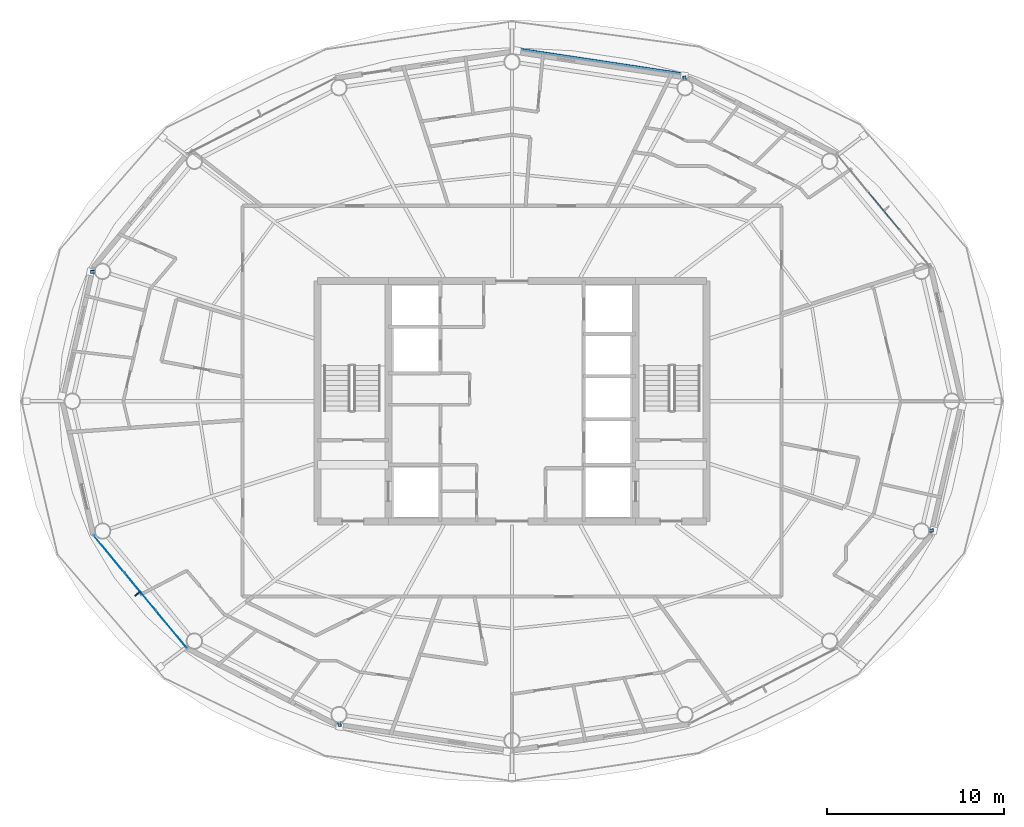
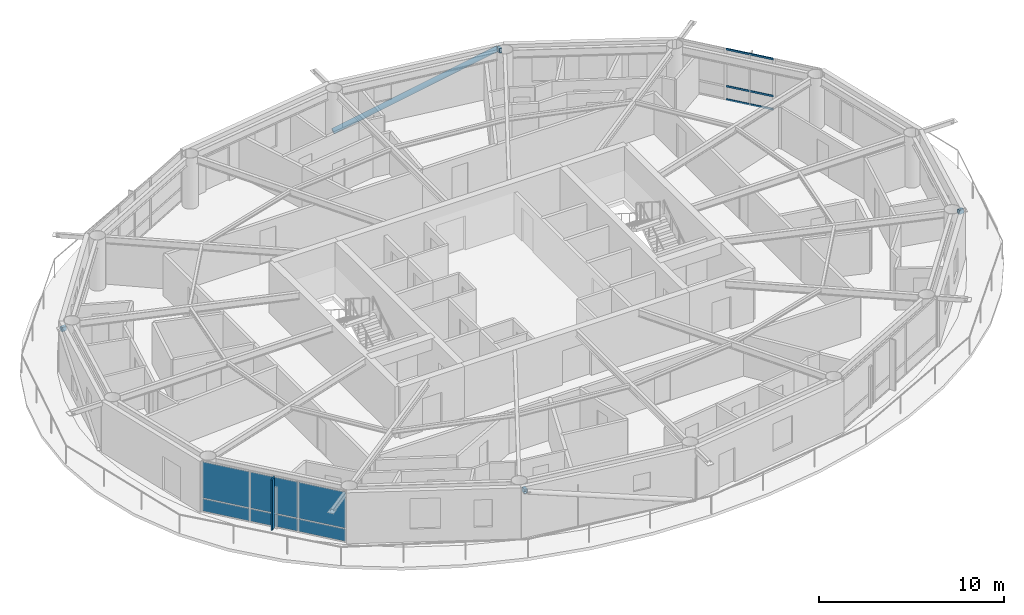
# One storey, part 12 of 23: 8 members, 7 plates, 2 elements without a shape of their own.
"""IFC4 building model written with IfcOpenShell, lengths in metres."""

from ifc_helpers import new_model, si_unit, direction, frame, origin, origin_2d, place, context, subcontext, project, spatial, rectangle, hollow_rectangle, hollow_circle, extrude, material, layer, layer_set, material_profile, profile_set, type_object, element, aggregate, save


model = new_model("IFC4")

# Units and contexts
model_context = context("Model", 3, precision=1e-05, world=origin(), true_north=direction((0.0, 1.0)))
body_context = subcontext(model_context, "Body", "Model", "MODEL_VIEW")
ifc_project = project(units=[si_unit("LENGTHUNIT", "METRE"), si_unit("AREAUNIT", "SQUARE_METRE"), si_unit("VOLUMEUNIT", "CUBIC_METRE"), si_unit("PLANEANGLEUNIT", "RADIAN"), si_unit("MASSUNIT", "GRAM", prefix="KILO")], contexts=[model_context])

# Site, building, storey
site_placement = place(None, origin())
site = spatial("IfcSite", under=ifc_project, at=site_placement, CompositionType="ELEMENT")
building_placement = place(site_placement, origin())
building = spatial("IfcBuilding", under=site, at=building_placement, Name="Sarneth Arch Tower", CompositionType="ELEMENT")
storey_placement = place(building_placement, frame((0.0, 0.0, 217.199951171875)))
storey = spatial("IfcBuildingStorey", under=building, at=storey_placement, Name="L55", CompositionType="ELEMENT", Elevation=217.199951171875)

# Curtain wall, members
ifc_material_1 = material(Name="Anodised aluminium Type AA25 and solar-control low-e laminated IGU", Category="aluminium")
ifc_layer_1 = layer(ifc_material_1, 0.179931640625)
ifc_layer_set_1 = layer_set([ifc_layer_1], Name="Anodised aluminium Type AA25 and solar-control low-e laminated IGU")
curtain_wall_type = type_object("IfcCurtainWallType", Name="CW-RES-HIGH", PredefinedType="NOTDEFINED", material=ifc_layer_set_1)
curtain_wall_1_placement = place(storey_placement, origin())
curtain_wall_1 = element("IfcCurtainWall", 1, at=curtain_wall_1_placement, inside=storey, type_object=curtain_wall_type, Name="L55 Unitised curtain wall facet 02", PredefinedType="NOTDEFINED")
ifc_material_2 = material(Name="Anodised Aluminium 6063-T6", Category="aluminium")
ifc_material_profile_1 = material_profile(ifc_material_2, hollow_rectangle(XDim=0.06005859375, YDim=0.1201171875, WallThickness=0.00390625, at=origin_2d()), Name="AL-TRAN-120x60x4")
ifc_profile_set_1 = profile_set([ifc_material_profile_1], Name="Anodised Aluminium 6063-T6")
member_type_1 = type_object("IfcMemberType", Name="CW-TRANSOM", PredefinedType="USERDEFINED", material=ifc_profile_set_1)
member_1_placement = place(storey_placement, frame((69.904296875, 51.731689453125, 0.030029296875), z_axis=(-0.637617371902, 0.770353222261, 0.0), x_axis=(-0.770353222261, -0.637617371902, 0.0)))
member_1 = element("IfcMember", 2, at=member_1_placement, type_object=member_type_1, Name="CW-SYS-6 transom 2.1", ObjectType="TRANSOM", PredefinedType="USERDEFINED", context=body_context, shape_type="SweptSolid", body=[
    extrude(hollow_rectangle(XDim=0.06005859375, YDim=0.1201171875, WallThickness=0.00390625, at=origin_2d()), origin(), (0.0, 0.0, 1.0), 2.716552734375),
])
member_2_placement = place(storey_placement, frame((69.904296875, 51.731689453125, 0.900146484375), z_axis=(-0.637617371902, 0.770353222261, 0.0), x_axis=(-0.770353222261, -0.637617371902, 0.0)))
member_2 = element("IfcMember", 3, at=member_2_placement, type_object=member_type_1, Name="CW-SYS-6 transom 2.2", ObjectType="TRANSOM", PredefinedType="USERDEFINED", context=body_context, shape_type="SweptSolid", body=[
    extrude(hollow_rectangle(XDim=0.06005859375, YDim=0.1201171875, WallThickness=0.00390625, at=origin_2d()), origin(), (0.0, 0.0, 1.0), 2.716552734375),
])
member_3_placement = place(storey_placement, frame((69.904296875, 51.731689453125, 3.330078125), z_axis=(-0.637617371902, 0.770353222261, 0.0), x_axis=(-0.770353222261, -0.637617371902, 0.0)))
member_3 = element("IfcMember", 4, at=member_3_placement, type_object=member_type_1, Name="CW-SYS-6 transom 2.3", ObjectType="TRANSOM", PredefinedType="USERDEFINED", context=body_context, shape_type="SweptSolid", body=[
    extrude(hollow_rectangle(XDim=0.06005859375, YDim=0.1201171875, WallThickness=0.00390625, at=origin_2d()), origin(), (0.0, 0.0, 1.0), 2.716552734375),
])
aggregate(curtain_wall_1, [member_1, member_2, member_3])

# Members
ifc_material_3 = material(Name="Steel S355", Category="steel")
ifc_material_profile_2 = material_profile(ifc_material_3, hollow_rectangle(XDim=0.199951171875, YDim=0.300048828125, WallThickness=0.012451171875, InnerFilletRadius=0.018798828125, OuterFilletRadius=0.03125, at=origin_2d()), Name="RHS300x200x12.5")
ifc_profile_set_2 = profile_set([ifc_material_profile_2], Name="Steel S355")
member_type_2 = type_object("IfcMemberType", Name="MEM-CANT-STRUT", PredefinedType="STRUT", material=ifc_profile_set_2)
member_4_placement = place(storey_placement, frame((57.768798828125, 60.142822265625, 3.03662109375), z_axis=(-0.05446449316, 0.998515707931, 0.0), x_axis=(-0.998515707931, -0.05446449316, 0.0)))
element("IfcMember", 5, at=member_4_placement, inside=storey, type_object=member_type_2, Name="L55 Exoskeleton brace node strut 04B", PredefinedType="STRUT", context=body_context, shape_type="SweptSolid", body=[
    extrude(hollow_rectangle(XDim=0.199951171875, YDim=0.300048828125, WallThickness=0.012451171875, InnerFilletRadius=0.018798828125, OuterFilletRadius=0.03125, at=origin_2d()), origin(), (0.0, 0.0, 1.0), 0.26904296875),
])
member_5_placement = place(storey_placement, frame((24.426513671875, 49.32861328125, 3.03662109375), z_axis=(-0.998880000755, -0.047315368457, 0.0), x_axis=(0.047315368457, -0.998880000755, 0.0)))
element("IfcMember", 6, at=member_5_placement, inside=storey, type_object=member_type_2, Name="L55 Exoskeleton brace node strut 08B", PredefinedType="STRUT", context=body_context, shape_type="SweptSolid", body=[
    extrude(hollow_rectangle(XDim=0.199951171875, YDim=0.300048828125, WallThickness=0.012451171875, InnerFilletRadius=0.018798828125, OuterFilletRadius=0.03125, at=origin_2d()), origin(), (0.0, 0.0, 1.0), 0.278564453125),
])
member_6_placement = place(storey_placement, frame((38.231201171875, 23.857177734375, 3.03662109375), z_axis=(0.05446449316, -0.998515707931, 0.0), x_axis=(0.998515707931, 0.05446449316, 0.0)))
element("IfcMember", 7, at=member_6_placement, inside=storey, type_object=member_type_2, Name="L55 Exoskeleton brace node strut 12B", PredefinedType="STRUT", context=body_context, shape_type="SweptSolid", body=[
    extrude(hollow_rectangle(XDim=0.199951171875, YDim=0.300048828125, WallThickness=0.012451171875, InnerFilletRadius=0.018798828125, OuterFilletRadius=0.03125, at=origin_2d()), origin(), (0.0, 0.0, 1.0), 0.26904296875),
])
member_7_placement = place(storey_placement, frame((71.573486328125, 34.67138671875, 3.03662109375), z_axis=(0.998880000755, 0.047315368457, 0.0), x_axis=(-0.047315368457, 0.998880000755, 0.0)))
element("IfcMember", 8, at=member_7_placement, inside=storey, type_object=member_type_2, Name="L55 Exoskeleton brace node strut 16B", PredefinedType="STRUT", context=body_context, shape_type="SweptSolid", body=[
    extrude(hollow_rectangle(XDim=0.199951171875, YDim=0.300048828125, WallThickness=0.012451171875, InnerFilletRadius=0.018798828125, OuterFilletRadius=0.03125, at=origin_2d()), origin(), (0.0, 0.0, 1.0), 0.278564453125),
])
ifc_material_4 = material(Name="Steel S355", Category="steel")
ifc_material_profile_3 = material_profile(ifc_material_4, hollow_circle(Radius=0.162109375, WallThickness=0.012451171875, at=origin_2d()), Name="CHS324x12.5")
ifc_profile_set_3 = profile_set([ifc_material_profile_3], Name="Steel S355")
member_type_3 = type_object("IfcMemberType", Name="MEM-DIAG-BR3", PredefinedType="BRACE", material=ifc_profile_set_3)
member_8_placement = place(storey_placement, frame((48.296630859375, 61.83544921875, 0.02001953125), z_axis=(0.943056107878, -0.142001297879, 0.300800280576), x_axis=(0.148897148305, 0.988852688335, 0.0)))
element("IfcMember", 9, at=member_8_placement, inside=storey, type_object=member_type_3, Name="L55 Perimeter frame diagonal 04", PredefinedType="BRACE", context=body_context, shape_type="SweptSolid", body=[
    extrude(hollow_circle(Radius=0.162109375, WallThickness=0.012451171875, at=origin_2d()), origin(), (0.0, 0.0, 1.0), 10.028564453125),
])

# Curtain wall, plates
curtain_wall_2_placement = place(storey_placement, origin())
curtain_wall_2 = element("IfcCurtainWall", 10, at=curtain_wall_2_placement, inside=storey, type_object=curtain_wall_type, Name="L55 Unitised curtain wall facet 10", PredefinedType="NOTDEFINED")
ifc_material_5 = material(Name="Solar-control low-e laminated IGU", Category="glass")
ifc_layer_2 = layer(ifc_material_5, 0.028076171875)
ifc_layer_set_2 = layer_set([ifc_layer_2], Name="Solar-control low-e laminated IGU")
plate_type_1 = type_object("IfcPlateType", Name="CW-PANEL", PredefinedType="CURTAIN_PANEL", material=ifc_layer_set_2)
plate_1_placement = place(storey_placement, frame((25.200927734375, 33.349365234375, 0.06005859375), z_axis=(0.0, 0.0, 1.0), x_axis=(0.637610094184, -0.770359245933, 0.0)))
plate_1 = element("IfcPlate", 11, at=plate_1_placement, type_object=plate_type_1, Name="Curtain wall glazed vision pane CW-L55-F10/P00-00", PredefinedType="CURTAIN_PANEL", context=body_context, shape_type="SweptSolid", body=[
    extrude(rectangle(XDim=2.686767578125, YDim=0.028076171875, at=origin_2d()), origin(), (0.0, 0.0, 1.0), 0.81005859375),
])
plate_2_placement = place(storey_placement, frame((25.200927734375, 33.349365234375, 0.929931640625), z_axis=(0.0, 0.0, 1.0), x_axis=(0.637610094184, -0.770359245933, 0.0)))
plate_2 = element("IfcPlate", 12, at=plate_2_placement, type_object=plate_type_1, Name="Curtain wall glazed vision pane CW-L55-F10/P00-01", PredefinedType="CURTAIN_PANEL", context=body_context, shape_type="SweptSolid", body=[
    extrude(rectangle(XDim=2.686767578125, YDim=0.028076171875, at=origin_2d()), origin(), (0.0, 0.0, 1.0), 2.3701171875),
])
plate_3_placement = place(storey_placement, frame((26.9619140625, 31.221923828125, 0.06005859375), z_axis=(0.0, 0.0, 1.0), x_axis=(0.637610094184, -0.770359245933, 0.0)))
plate_3 = element("IfcPlate", 13, at=plate_3_placement, type_object=plate_type_1, Name="Curtain wall glazed vision pane CW-L55-F10/P01-00", PredefinedType="CURTAIN_PANEL", context=body_context, shape_type="SweptSolid", body=[
    extrude(rectangle(XDim=2.716552734375, YDim=0.028076171875, at=origin_2d()), origin(), (0.0, 0.0, 1.0), 0.81005859375),
])
plate_4_placement = place(storey_placement, frame((26.9619140625, 31.221923828125, 0.929931640625), z_axis=(0.0, 0.0, 1.0), x_axis=(0.637610094184, -0.770359245933, 0.0)))
plate_4 = element("IfcPlate", 14, at=plate_4_placement, type_object=plate_type_1, Name="Curtain wall glazed vision pane CW-L55-F10/P01-01", PredefinedType="CURTAIN_PANEL", context=body_context, shape_type="SweptSolid", body=[
    extrude(rectangle(XDim=2.716552734375, YDim=0.028076171875, at=origin_2d()), origin(), (0.0, 0.0, 1.0), 2.3701171875),
])
plate_5_placement = place(storey_placement, frame((28.72265625, 29.094482421875, 0.06005859375), z_axis=(0.0, 0.0, 1.0), x_axis=(0.637610094184, -0.770359245933, 0.0)))
plate_5 = element("IfcPlate", 15, at=plate_5_placement, type_object=plate_type_1, Name="Curtain wall glazed vision pane CW-L55-F10/P02-00", PredefinedType="CURTAIN_PANEL", context=body_context, shape_type="SweptSolid", body=[
    extrude(rectangle(XDim=2.686767578125, YDim=0.028076171875, at=origin_2d()), origin(), (0.0, 0.0, 1.0), 0.81005859375),
])
plate_6_placement = place(storey_placement, frame((28.72265625, 29.094482421875, 0.929931640625), z_axis=(0.0, 0.0, 1.0), x_axis=(0.637610094184, -0.770359245933, 0.0)))
plate_6 = element("IfcPlate", 16, at=plate_6_placement, type_object=plate_type_1, Name="Curtain wall glazed vision pane CW-L55-F10/P02-01", PredefinedType="CURTAIN_PANEL", context=body_context, shape_type="SweptSolid", body=[
    extrude(rectangle(XDim=2.686767578125, YDim=0.028076171875, at=origin_2d()), origin(), (0.0, 0.0, 1.0), 2.3701171875),
])
aggregate(curtain_wall_2, [plate_1, plate_2, plate_3, plate_4, plate_5, plate_6])

# Plate
ifc_material_6 = material(Name="Extruded glazed terracotta baguette fin on Aluminium 6063-T6 carrier", Category="masonry")
ifc_layer_3 = layer(ifc_material_6, 0.080078125)
ifc_layer_set_3 = layer_set([ifc_layer_3], Name="Extruded glazed terracotta baguette fin on Aluminium 6063-T6 carrier")
plate_type_2 = type_object("IfcPlateType", Name="SHADE-TERRA-FIN", PredefinedType="SHEET", material=ifc_layer_set_3)
plate_7_placement = place(storey_placement, frame((26.830810546875, 31.113525390625, 0.009765625), z_axis=(0.0, 0.0, 1.0), x_axis=(-0.770401979567, -0.63755845997, 0.0)))
element("IfcPlate", 17, at=plate_7_placement, inside=storey, type_object=plate_type_2, Name="L55 Terracotta vertical shading fin 10", PredefinedType="SHEET", context=body_context, shape_type="SweptSolid", body=[
    extrude(rectangle(XDim=0.419921875, YDim=0.080078125, at=origin_2d()), origin(), (0.0, 0.0, 1.0), 3.340087890625),
])

save(model, "model.ifc")
